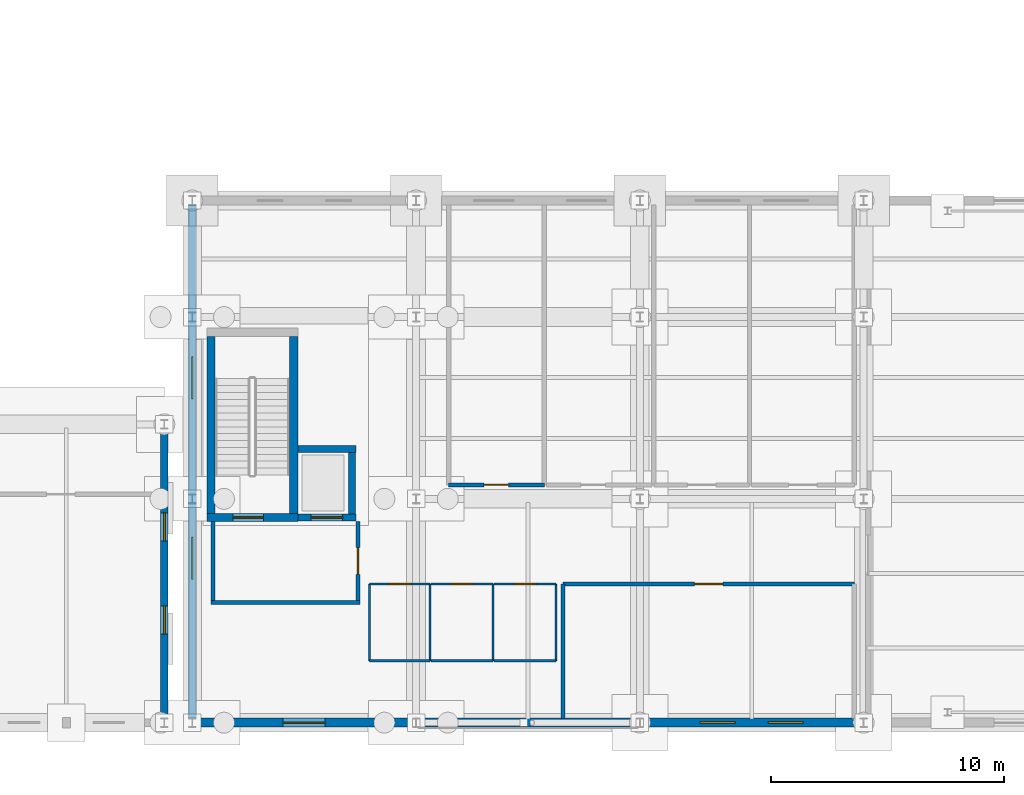
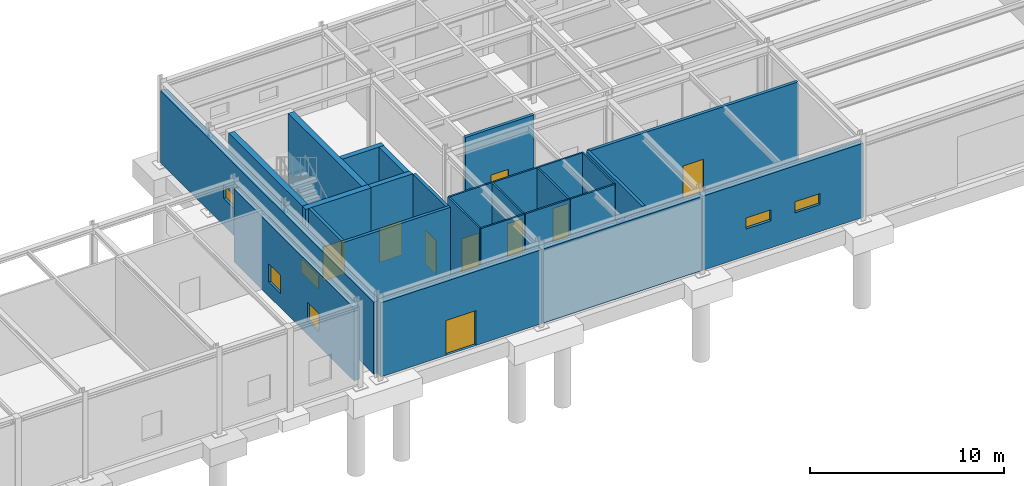
# One storey, part 95 of 109: 27 walls, 9 doors, 6 windows, 15 openings.
"""IFC4 building model written with IfcOpenShell, lengths in metres."""

from ifc_helpers import new_model, si_unit, direction, frame, frame_2d, origin, place, context, subcontext, project, spatial, rectangle, extrude, material, layer, layer_set, type_object, element, fill, save


model = new_model("IFC4")

# Units and contexts
model_context = context("Model", 3, precision=1e-05, world=origin(), true_north=direction((0.0, 1.0)))
body_context = subcontext(model_context, "Body", "Model", "MODEL_VIEW")
ifc_project = project(units=[si_unit("LENGTHUNIT", "METRE"), si_unit("AREAUNIT", "SQUARE_METRE"), si_unit("VOLUMEUNIT", "CUBIC_METRE"), si_unit("PLANEANGLEUNIT", "RADIAN"), si_unit("MASSUNIT", "GRAM", prefix="KILO")], contexts=[model_context])

# Site, building, storey
site_placement = place(None, origin())
site = spatial("IfcSite", under=ifc_project, at=site_placement, CompositionType="ELEMENT")
building_placement = place(site_placement, origin())
building = spatial("IfcBuilding", under=site, at=building_placement, Name="Nordkorset Police Headquarters", CompositionType="ELEMENT")
storey_placement = place(building_placement, origin())
storey = spatial("IfcBuildingStorey", under=building, at=storey_placement, Name="L00", CompositionType="ELEMENT", Elevation=0.0)

# Walls
ifc_material_1 = material(Name="Gypsum board", Category="gypsum")
ifc_layer_1 = layer(ifc_material_1, 0.179931640625, Name="Gypsum board")
ifc_layer_set_1 = layer_set([ifc_layer_1], Name="Gypsum board")
wall_type_1 = type_object("IfcWallType", Name="Wall_Comp_180", PredefinedType="PARTITIONING", material=ifc_layer_set_1)
wall_1_placement = place(storey_placement, frame((127.199951171875, 5.159912109375, 0.0), z_axis=(0.0, 0.0, 1.0), x_axis=(1.0, 0.0, 0.0)))
element("IfcWall", 1, at=wall_1_placement, inside=storey, type_object=wall_type_1, Name="Firefighting Lobby EI 60 Wall K6 L00 S", PredefinedType="PARTITIONING", context=body_context, shape_type="SweptSolid", body=[
    extrude(rectangle(XDim=6.400146484375, YDim=0.179931640625, at=frame_2d((3.2001953125, 0.0))), origin(), (0.0, 0.0, 1.0), 5.0),
])
wall_2_placement = place(storey_placement, frame((127.2900390625, 5.25, 0.0), z_axis=(0.0, 0.0, 1.0), x_axis=(0.0, 1.0, 0.0)))
element("IfcWall", 2, at=wall_2_placement, inside=storey, type_object=wall_type_1, Name="Firefighting Lobby EI 60 Wall K6 L00 W", PredefinedType="PARTITIONING", context=body_context, shape_type="SweptSolid", body=[
    extrude(rectangle(XDim=3.375, YDim=0.179931640625, at=frame_2d((1.6875, 0.0))), origin(), (0.0, 0.0, 1.0), 5.0),
])

# Wall, opening, door
wall_3_placement = place(storey_placement, frame((133.510009765625, 5.25, 0.0), z_axis=(0.0, 0.0, 1.0), x_axis=(0.0, 1.0, 0.0)))
wall_3 = element("IfcWall", 3, at=wall_3_placement, inside=storey, type_object=wall_type_1, Name="Firefighting Lobby EI 60 Wall K6 L00 E", PredefinedType="PARTITIONING", context=body_context, shape_type="SweptSolid", body=[
    extrude(rectangle(XDim=3.375, YDim=0.179931640625, at=frame_2d((1.6875, 0.0))), origin(), (0.0, 0.0, 1.0), 5.0),
])
opening_1_placement = place(wall_3_placement, frame((1.112548828125, 0.0, 0.0)))
opening_1 = element("IfcOpeningElement", 4, at=opening_1_placement, cuts=wall_3, Name="Opening DR-01", PredefinedType="OPENING", context=body_context, shape_type="SweptSolid", body=[
    extrude(rectangle(XDim=1.14990234375, YDim=2.14990234375, at=frame_2d((0.574951171875, 1.074951171875))), frame((0.0, 0.10009765625, 0.0), z_axis=(0.0, -1.0, 0.0), x_axis=(1.0, 0.0, 0.0)), (0.0, 0.0, 1.0), 0.199951171875),
])
ifc_material_2 = material(Name="Steel S355J2", Category="steel")
door_type_1 = type_object("IfcDoorType", Name="Door_LobbySingle_1150x2150", OperationType="NOTDEFINED", PredefinedType="DOOR", material=ifc_material_2)
door_1_placement = place(opening_1_placement, origin())
door_1 = element("IfcDoor", 5, at=door_1_placement, inside=storey, type_object=door_type_1, Name="Firefighting Lobby Smoke Door K6 L00 E", OperationType="SINGLE_SWING_LEFT", OverallHeight=2.14990234375, OverallWidth=1.14990234375, PredefinedType="DOOR", context=body_context, shape_type="SweptSolid", body=[
    extrude(rectangle(XDim=1.14990234375, YDim=2.14990234375, at=frame_2d((0.574951171875, 1.074951171875))), frame((0.0, 0.02490234375, 0.0), z_axis=(0.0, -1.0, 0.0), x_axis=(1.0, 0.0, 0.0)), (0.0, 0.0, 1.0), 0.050048828125),
])
fill(opening_1, door_1)

wall_4_placement = place(storey_placement, frame((154.800048828125, 5.949951171875, 0.0), z_axis=(0.0, 0.0, 1.0), x_axis=(-1.0, 0.0, 0.0)))
wall_4 = element("IfcWall", 6, at=wall_4_placement, inside=storey, type_object=wall_type_1, Name="Interior Partition Wall Custody Booking Suite", PredefinedType="PARTITIONING", context=body_context, shape_type="SweptSolid", body=[
    extrude(rectangle(XDim=12.5, YDim=0.179931640625, at=frame_2d((6.25, 0.0))), origin(), (0.0, 0.0, 1.0), 5.0),
])
opening_2_placement = place(wall_4_placement, frame((5.639892578125, 0.0, 0.0)))
opening_2 = element("IfcOpeningElement", 7, at=opening_2_placement, cuts=wall_4, Name="Opening DR-13", PredefinedType="OPENING", context=body_context, shape_type="SweptSolid", body=[
    extrude(rectangle(XDim=1.219970703125, YDim=2.10009765625, at=frame_2d((0.60986328125, 1.050048828125))), frame((0.0, 0.10009765625, 0.0), z_axis=(0.0, -1.0, 0.0), x_axis=(1.0, 0.0, 0.0)), (0.0, 0.0, 1.0), 0.199951171875),
])
ifc_material_3 = material(Name="Steel S355J2", Category="steel")
door_type_2 = type_object("IfcDoorType", Name="Door_FireComp_1220x2100", OperationType="NOTDEFINED", PredefinedType="DOOR", material=ifc_material_3)
door_2_placement = place(opening_2_placement, origin())
door_2 = element("IfcDoor", 8, at=door_2_placement, inside=storey, type_object=door_type_2, Name="Interior Door Custody Booking Suite", OperationType="SINGLE_SWING_RIGHT", OverallHeight=2.10009765625, OverallWidth=1.219970703125, PredefinedType="DOOR", context=body_context, shape_type="SweptSolid", body=[
    extrude(rectangle(XDim=1.219970703125, YDim=2.10009765625, at=frame_2d((0.60986328125, 1.050048828125))), frame((0.0, 0.02490234375, 0.0), z_axis=(0.0, -1.0, 0.0), x_axis=(1.0, 0.0, 0.0)), (0.0, 0.0, 1.0), 0.050048828125),
])
fill(opening_2, door_2)

# Wall
wall_5_placement = place(storey_placement, frame((142.300048828125, 5.949951171875, 0.0), z_axis=(0.0, 0.0, 1.0), x_axis=(0.0, -1.0, 0.0)))
element("IfcWall", 9, at=wall_5_placement, inside=storey, type_object=wall_type_1, Name="Interior Partition Wall Custody Booking Suite", PredefinedType="PARTITIONING", context=body_context, shape_type="SweptSolid", body=[
    extrude(rectangle(XDim=5.764892578125, YDim=0.179931640625, at=frame_2d((2.88232421875, 0.0))), origin(), (0.0, 0.0, 1.0), 5.0),
])

# Wall, opening, door
wall_6_placement = place(storey_placement, frame((137.39990234375, 10.199951171875, 0.0), z_axis=(0.0, 0.0, 1.0), x_axis=(1.0, 0.0, 0.0)))
wall_6 = element("IfcWall", 10, at=wall_6_placement, inside=storey, type_object=wall_type_1, Name="Interior Partition Wall Detention Cell 01", PredefinedType="PARTITIONING", context=body_context, shape_type="SweptSolid", body=[
    extrude(rectangle(XDim=4.10009765625, YDim=0.179931640625, at=frame_2d((2.050048828125, 0.0))), origin(), (0.0, 0.0, 1.0), 5.0),
])
opening_3_placement = place(wall_6_placement, frame((1.52490234375, 0.0, 0.0)))
opening_3 = element("IfcOpeningElement", 11, at=opening_3_placement, cuts=wall_6, Name="Opening DR-24", PredefinedType="OPENING", context=body_context, shape_type="SweptSolid", body=[
    extrude(rectangle(XDim=1.050048828125, YDim=2.10009765625, at=frame_2d((0.52490234375, 1.050048828125))), frame((0.0, 0.10009765625, 0.0), z_axis=(0.0, -1.0, 0.0), x_axis=(1.0, 0.0, 0.0)), (0.0, 0.0, 1.0), 0.199951171875),
])
ifc_material_4 = material(Name="Steel S355J2", Category="steel")
door_type_3 = type_object("IfcDoorType", Name="Door_CustodyCell_1050x2100", OperationType="NOTDEFINED", PredefinedType="DOOR", material=ifc_material_4)
door_3_placement = place(opening_3_placement, frame((1.050048828125, 0.0, 0.0), z_axis=(0.0, 0.0, 1.0), x_axis=(-1.0, 0.0, 0.0)))
door_3 = element("IfcDoor", 12, at=door_3_placement, inside=storey, type_object=door_type_3, Name="Interior Door Detention Cell 01", OperationType="SINGLE_SWING_LEFT", OverallHeight=2.10009765625, OverallWidth=1.050048828125, PredefinedType="DOOR", context=body_context, shape_type="SweptSolid", body=[
    extrude(rectangle(XDim=1.050048828125, YDim=2.10009765625, at=frame_2d((0.52490234375, 1.050048828125))), frame((0.0, 0.02490234375, 0.0), z_axis=(0.0, -1.0, 0.0), x_axis=(1.0, 0.0, 0.0)), (0.0, 0.0, 1.0), 0.050048828125),
])
fill(opening_3, door_3)

ifc_material_5 = material(Name="Concrete C35/45", Category="concrete")
ifc_layer_2 = layer(ifc_material_5, 0.35009765625, Name="Concrete C35/45")
ifc_layer_set_2 = layer_set([ifc_layer_2], Name="Concrete C35/45")
wall_type_2 = type_object("IfcWallType", Name="Wall_CoreShear_350", PredefinedType="SHEAR", material=ifc_layer_set_2)
wall_7_placement = place(storey_placement, frame((127.02490234375, 8.800048828125, -0.27001953125), z_axis=(0.0, 0.0, 1.0), x_axis=(1.0, 0.0, 0.0)))
wall_7 = element("IfcWall", 13, at=wall_7_placement, inside=storey, type_object=wall_type_2, Name="Core K6 Stair Shaft South Shear Wall L00", PredefinedType="SHEAR", context=body_context, shape_type="SweptSolid", body=[
    extrude(rectangle(XDim=3.900146484375, YDim=0.35009765625, at=frame_2d((1.9501953125, 0.0))), origin(), (0.0, 0.0, 1.0), 5.27001953125),
])
opening_4_placement = place(wall_7_placement, frame((1.125, 0.0, 0.27001953125)))
opening_4 = element("IfcOpeningElement", 14, at=opening_4_placement, cuts=wall_7, Name="Opening DR-20", PredefinedType="OPENING", context=body_context, shape_type="SweptSolid", body=[
    extrude(rectangle(XDim=1.300048828125, YDim=2.14990234375, at=frame_2d((0.64990234375, 1.074951171875))), frame((0.0, 0.18505859375, 0.0), z_axis=(0.0, -1.0, 0.0), x_axis=(1.0, 0.0, 0.0)), (0.0, 0.0, 1.0), 0.3701171875),
])
ifc_material_6 = material(Name="Steel S355J2", Category="steel")
door_type_4 = type_object("IfcDoorType", Name="Door_Stair_1300x2150", OperationType="NOTDEFINED", PredefinedType="DOOR", material=ifc_material_6)
door_4_placement = place(opening_4_placement, origin())
door_4 = element("IfcDoor", 15, at=door_4_placement, inside=storey, type_object=door_type_4, Name="Protected Stair Fire Door ST-06 L00", OperationType="SINGLE_SWING_RIGHT", OverallHeight=2.14990234375, OverallWidth=1.300048828125, PredefinedType="DOOR", context=body_context, shape_type="SweptSolid", body=[
    extrude(rectangle(XDim=1.300048828125, YDim=2.14990234375, at=frame_2d((0.64990234375, 1.074951171875))), frame((0.0, 0.02490234375, 0.0), z_axis=(0.0, -1.0, 0.0), x_axis=(1.0, 0.0, 0.0)), (0.0, 0.0, 1.0), 0.050048828125),
])
fill(opening_4, door_4)

# Walls
for number, where, z_axis, x_axis, name in (
    (16, (127.199951171875, 8.97509765625, -0.27001953125), (0.0, 0.0, 1.0), (0.0, 1.0, 0.0), "Core K6 Stair Shaft West Shear Wall L00"),
    (17, (130.75, 8.97509765625, -0.27001953125), (0.0, 0.0, 1.0), (0.0, 1.0, 0.0), "Core K6 Stair Shaft East Shear Wall L00"),
):
    element("IfcWall", number, at=place(storey_placement, frame(where, z_axis=z_axis, x_axis=x_axis)), inside=storey, type_object=wall_type_2, Name=name, PredefinedType="SHEAR", context=body_context, shape_type="SweptSolid", body=[
        extrude(rectangle(XDim=7.599853515625, YDim=0.35009765625, at=frame_2d((3.7998046875, 0.0))), origin(), (0.0, 0.0, 1.0), 5.27001953125),
    ])

# Wall, opening, door
ifc_material_7 = material(Name="Precast concrete C40/50", Category="concrete")
ifc_layer_3 = layer(ifc_material_7, 0.3798828125, Name="Precast concrete C40/50")
ifc_layer_set_3 = layer_set([ifc_layer_3], Name="Precast concrete C40/50")
wall_type_3 = type_object("IfcWallType", Name="Wall_ExtCustody_380", PredefinedType="SOLIDWALL", material=ifc_layer_set_3)
wall_8_placement = place(storey_placement, frame((126.40869140625, 0.0, 0.0), z_axis=(0.0, 0.0, 1.0), x_axis=(1.0, 0.0, 0.0)))
wall_8 = element("IfcWall", 18, at=wall_8_placement, inside=storey, type_object=wall_type_3, Name="Exterior Insulated Precast Wall L00 V6S-ED09", PredefinedType="SOLIDWALL", context=body_context, shape_type="SweptSolid", body=[
    extrude(rectangle(XDim=9.58251953125, YDim=0.3798828125, at=frame_2d((4.791259765625, 0.0))), origin(), (0.0, 0.0, 1.0), 4.669921875),
])
opening_5_placement = place(wall_8_placement, frame((3.891357421875, 0.0, 0.0)))
opening_5 = element("IfcOpeningElement", 19, at=opening_5_placement, cuts=wall_8, Name="Opening ED-09", PredefinedType="OPENING", context=body_context, shape_type="SweptSolid", body=[
    extrude(rectangle(XDim=1.800048828125, YDim=2.199951171875, at=frame_2d((0.89990234375, 1.10009765625))), frame((0.0, 0.199951171875, 0.0), z_axis=(0.0, -1.0, 0.0), x_axis=(1.0, 0.0, 0.0)), (0.0, 0.0, 1.0), 0.39990234375),
])
ifc_material_8 = material(Name="Steel S355J2", Category="steel")
door_type_5 = type_object("IfcDoorType", Name="ExtDoor_WingExit_1800x2200", OperationType="DOUBLE_DOOR_SINGLE_SWING", PredefinedType="DOOR", material=ifc_material_8)
door_5_placement = place(opening_5_placement, frame((1.800048828125, 0.0, 0.0), z_axis=(0.0, 0.0, 1.0), x_axis=(-1.0, 0.0, 0.0)))
door_5 = element("IfcDoor", 20, at=door_5_placement, inside=storey, type_object=door_type_5, Name="Custody Wing Final Exit Door ED-09", OperationType="SINGLE_SWING_LEFT", OverallHeight=2.199951171875, OverallWidth=1.800048828125, PredefinedType="DOOR", context=body_context, shape_type="SweptSolid", body=[
    extrude(rectangle(XDim=1.800048828125, YDim=2.199951171875, at=frame_2d((0.89990234375, 1.10009765625))), frame((0.0, 0.02490234375, 0.0), z_axis=(0.0, -1.0, 0.0), x_axis=(1.0, 0.0, 0.0)), (0.0, 0.0, 1.0), 0.050048828125),
])
fill(opening_5, door_5)

# Wall
wall_9_placement = place(storey_placement, frame((136.0087890625, 0.0, 0.0), z_axis=(0.0, 0.0, 1.0), x_axis=(1.0, 0.0, 0.0)))
element("IfcWall", 21, at=wall_9_placement, inside=storey, type_object=wall_type_3, Name="Exterior Insulated Precast Wall L00 V6S-1", PredefinedType="SOLIDWALL", context=body_context, shape_type="SweptSolid", body=[
    extrude(rectangle(XDim=9.58251953125, YDim=0.3798828125, at=frame_2d((4.791259765625, 0.0))), origin(), (0.0, 0.0, 1.0), 4.669921875),
])

# Wall, openings, windows
wall_10_placement = place(storey_placement, frame((145.608642578125, 0.0, 0.0), z_axis=(0.0, 0.0, 1.0), x_axis=(1.0, 0.0, 0.0)))
wall_10 = element("IfcWall", 22, at=wall_10_placement, inside=storey, type_object=wall_type_3, Name="Exterior Insulated Precast Wall L00 V6S-2", PredefinedType="SOLIDWALL", context=body_context, shape_type="SweptSolid", body=[
    extrude(rectangle(XDim=9.58251953125, YDim=0.3798828125, at=frame_2d((4.791259765625, 0.0))), origin(), (0.0, 0.0, 1.0), 4.669921875),
])
opening_6_placement = place(wall_10_placement, frame((2.57470703125, 0.0, 1.699951171875)))
opening_6 = element("IfcOpeningElement", 23, at=opening_6_placement, cuts=wall_10, Name="Opening WN-25", PredefinedType="OPENING", context=body_context, shape_type="SweptSolid", body=[
    extrude(rectangle(XDim=1.5, YDim=0.699951171875, at=frame_2d((0.75, 0.35009765625))), frame((0.0, 0.199951171875, 0.0), z_axis=(0.0, -1.0, 0.0), x_axis=(1.0, 0.0, 0.0)), (0.0, 0.0, 1.0), 0.39990234375),
])
opening_7_placement = place(wall_10_placement, frame((5.508056640625, 0.0, 1.699951171875)))
opening_7 = element("IfcOpeningElement", 24, at=opening_7_placement, cuts=wall_10, Name="Opening WN-25", PredefinedType="OPENING", context=body_context, shape_type="SweptSolid", body=[
    extrude(rectangle(XDim=1.5, YDim=0.699951171875, at=frame_2d((0.75, 0.35009765625))), frame((0.0, 0.199951171875, 0.0), z_axis=(0.0, -1.0, 0.0), x_axis=(1.0, 0.0, 0.0)), (0.0, 0.0, 1.0), 0.39990234375),
])
ifc_material_9 = material(Name="Low-iron triple glazing", Category="glass")
window_type_1 = type_object("IfcWindowType", Name="Win_1500x700", PartitioningType="SINGLE_PANEL", PredefinedType="WINDOW", material=ifc_material_9)
window_1_placement = place(opening_6_placement, origin())
window_1 = element("IfcWindow", 25, at=window_1_placement, inside=storey, type_object=window_type_1, Name="Triple-Glazed Exterior Window L00 V6S-2-1", OverallHeight=0.699951171875, OverallWidth=1.5, PartitioningType="SINGLE_PANEL", PredefinedType="WINDOW", context=body_context, shape_type="SweptSolid", body=[
    extrude(rectangle(XDim=1.5, YDim=0.699951171875, at=frame_2d((0.75, 0.35009765625))), frame((0.0, 0.030029296875, 0.0), z_axis=(0.0, -1.0, 0.0), x_axis=(1.0, 0.0, 0.0)), (0.0, 0.0, 1.0), 0.06005859375),
])
fill(opening_6, window_1)
window_2_placement = place(opening_7_placement, origin())
window_2 = element("IfcWindow", 26, at=window_2_placement, inside=storey, type_object=window_type_1, Name="Triple-Glazed Exterior Window L00 V6S-2-2", OverallHeight=0.699951171875, OverallWidth=1.5, PartitioningType="SINGLE_PANEL", PredefinedType="WINDOW", context=body_context, shape_type="SweptSolid", body=[
    extrude(rectangle(XDim=1.5, YDim=0.699951171875, at=frame_2d((0.75, 0.35009765625))), frame((0.0, 0.030029296875, 0.0), z_axis=(0.0, -1.0, 0.0), x_axis=(1.0, 0.0, 0.0)), (0.0, 0.0, 1.0), 0.06005859375),
])
fill(opening_7, window_2)

wall_11_placement = place(storey_placement, frame((126.39990234375, 0.201904296875, 0.0), z_axis=(0.0, 0.0, 1.0), x_axis=(0.0, 1.0, 0.0)))
wall_11 = element("IfcWall", 27, at=wall_11_placement, inside=storey, type_object=wall_type_3, Name="Exterior Insulated Precast Wall L00 V6W-0", PredefinedType="SOLIDWALL", context=body_context, shape_type="SweptSolid", body=[
    extrude(rectangle(XDim=21.99609375, YDim=0.3798828125, at=frame_2d((10.998046875, 0.0))), origin(), (0.0, 0.0, 1.0), 4.5400390625),
])
opening_8_placement = place(wall_11_placement, frame((5.947998046875, 0.0, 1.699951171875)))
opening_8 = element("IfcOpeningElement", 28, at=opening_8_placement, cuts=wall_11, Name="Opening WN-44", PredefinedType="OPENING", context=body_context, shape_type="SweptSolid", body=[
    extrude(rectangle(XDim=1.800048828125, YDim=0.85009765625, at=frame_2d((0.89990234375, 0.425048828125))), frame((0.0, 0.199951171875, 0.0), z_axis=(0.0, -1.0, 0.0), x_axis=(1.0, 0.0, 0.0)), (0.0, 0.0, 1.0), 0.39990234375),
])
opening_9_placement = place(wall_11_placement, frame((13.697998046875, 0.0, 1.699951171875)))
opening_9 = element("IfcOpeningElement", 29, at=opening_9_placement, cuts=wall_11, Name="Opening WN-44", PredefinedType="OPENING", context=body_context, shape_type="SweptSolid", body=[
    extrude(rectangle(XDim=1.800048828125, YDim=0.85009765625, at=frame_2d((0.89990234375, 0.425048828125))), frame((0.0, 0.199951171875, 0.0), z_axis=(0.0, -1.0, 0.0), x_axis=(1.0, 0.0, 0.0)), (0.0, 0.0, 1.0), 0.39990234375),
])
ifc_material_10 = material(Name="Low-iron triple glazing", Category="glass")
window_type_2 = type_object("IfcWindowType", Name="Win_1800x850", PartitioningType="SINGLE_PANEL", PredefinedType="WINDOW", material=ifc_material_10)
window_3_placement = place(opening_8_placement, origin())
window_3 = element("IfcWindow", 30, at=window_3_placement, inside=storey, type_object=window_type_2, Name="Triple-Glazed Exterior Window L00 V6W-0-1", OverallHeight=0.85009765625, OverallWidth=1.800048828125, PartitioningType="SINGLE_PANEL", PredefinedType="WINDOW", context=body_context, shape_type="SweptSolid", body=[
    extrude(rectangle(XDim=1.800048828125, YDim=0.85009765625, at=frame_2d((0.89990234375, 0.425048828125))), frame((0.0, 0.030029296875, 0.0), z_axis=(0.0, -1.0, 0.0), x_axis=(1.0, 0.0, 0.0)), (0.0, 0.0, 1.0), 0.06005859375),
])
fill(opening_8, window_3)
window_4_placement = place(opening_9_placement, origin())
window_4 = element("IfcWindow", 31, at=window_4_placement, inside=storey, type_object=window_type_2, Name="Triple-Glazed Exterior Window L00 V6W-0-2", OverallHeight=0.85009765625, OverallWidth=1.800048828125, PartitioningType="SINGLE_PANEL", PredefinedType="WINDOW", context=body_context, shape_type="SweptSolid", body=[
    extrude(rectangle(XDim=1.800048828125, YDim=0.85009765625, at=frame_2d((0.89990234375, 0.425048828125))), frame((0.0, 0.030029296875, 0.0), z_axis=(0.0, -1.0, 0.0), x_axis=(1.0, 0.0, 0.0)), (0.0, 0.0, 1.0), 0.06005859375),
])
fill(opening_9, window_4)

ifc_material_11 = material(Name="Precast concrete C40/50", Category="concrete")
ifc_layer_4 = layer(ifc_material_11, 0.320068359375, Name="Precast concrete C40/50")
ifc_layer_set_4 = layer_set([ifc_layer_4], Name="Precast concrete C40/50")
wall_type_4 = type_object("IfcWallType", Name="Wall_ExtPlinth_320", PredefinedType="SOLIDWALL", material=ifc_layer_set_4)
wall_12_placement = place(storey_placement, frame((125.199951171875, 0.201904296875, 0.0), z_axis=(0.0, 0.0, 1.0), x_axis=(0.0, 1.0, 0.0)))
wall_12 = element("IfcWall", 32, at=wall_12_placement, inside=storey, type_object=wall_type_4, Name="Exterior Insulated Precast Wall L00 V7-EASTEND", PredefinedType="SOLIDWALL", context=body_context, shape_type="SweptSolid", body=[
    extrude(rectangle(XDim=12.39599609375, YDim=0.320068359375, at=frame_2d((6.197998046875, 0.0))), origin(), (0.0, 0.0, 1.0), 4.590087890625),
])
opening_10_placement = place(wall_12_placement, frame((3.597900390625, 0.0, 0.89990234375)))
opening_10 = element("IfcOpeningElement", 33, at=opening_10_placement, cuts=wall_12, Name="Opening WN-19", PredefinedType="OPENING", context=body_context, shape_type="SweptSolid", body=[
    extrude(rectangle(XDim=1.199951171875, YDim=1.14990234375, at=frame_2d((0.60009765625, 0.574951171875))), frame((0.0, 0.169921875, 0.0), z_axis=(0.0, -1.0, 0.0), x_axis=(1.0, 0.0, 0.0)), (0.0, 0.0, 1.0), 0.340087890625),
])
opening_11_placement = place(wall_12_placement, frame((7.597900390625, 0.0, 0.89990234375)))
opening_11 = element("IfcOpeningElement", 34, at=opening_11_placement, cuts=wall_12, Name="Opening WN-19", PredefinedType="OPENING", context=body_context, shape_type="SweptSolid", body=[
    extrude(rectangle(XDim=1.199951171875, YDim=1.14990234375, at=frame_2d((0.60009765625, 0.574951171875))), frame((0.0, 0.169921875, 0.0), z_axis=(0.0, -1.0, 0.0), x_axis=(1.0, 0.0, 0.0)), (0.0, 0.0, 1.0), 0.340087890625),
])
ifc_material_12 = material(Name="Low-iron triple glazing", Category="glass")
window_type_3 = type_object("IfcWindowType", Name="Win_1200x1150", PartitioningType="SINGLE_PANEL", PredefinedType="WINDOW", material=ifc_material_12)
window_5_placement = place(opening_10_placement, origin())
window_5 = element("IfcWindow", 35, at=window_5_placement, inside=storey, type_object=window_type_3, Name="Triple-Glazed Exterior Window L00 V7-EASTEND-1", OverallHeight=1.14990234375, OverallWidth=1.199951171875, PartitioningType="SINGLE_PANEL", PredefinedType="WINDOW", context=body_context, shape_type="SweptSolid", body=[
    extrude(rectangle(XDim=1.199951171875, YDim=1.14990234375, at=frame_2d((0.60009765625, 0.574951171875))), frame((0.0, 0.030029296875, 0.0), z_axis=(0.0, -1.0, 0.0), x_axis=(1.0, 0.0, 0.0)), (0.0, 0.0, 1.0), 0.06005859375),
])
fill(opening_10, window_5)
window_6_placement = place(opening_11_placement, origin())
window_6 = element("IfcWindow", 36, at=window_6_placement, inside=storey, type_object=window_type_3, Name="Triple-Glazed Exterior Window L00 V7-EASTEND-2", OverallHeight=1.14990234375, OverallWidth=1.199951171875, PartitioningType="SINGLE_PANEL", PredefinedType="WINDOW", context=body_context, shape_type="SweptSolid", body=[
    extrude(rectangle(XDim=1.199951171875, YDim=1.14990234375, at=frame_2d((0.60009765625, 0.574951171875))), frame((0.0, 0.030029296875, 0.0), z_axis=(0.0, -1.0, 0.0), x_axis=(1.0, 0.0, 0.0)), (0.0, 0.0, 1.0), 0.06005859375),
])
fill(opening_11, window_6)

# Walls
ifc_material_13 = material(Name="Gypsum board", Category="gypsum")
ifc_layer_5 = layer(ifc_material_13, 0.10009765625, Name="Gypsum board")
ifc_layer_set_5 = layer_set([ifc_layer_5], Name="Gypsum board")
wall_type_5 = type_object("IfcWallType", Name="Wall_Part_100", PredefinedType="PARTITIONING", material=ifc_layer_set_5)
wall_13_placement = place(storey_placement, frame((134.0, 2.64990234375, 0.0), z_axis=(0.0, 0.0, 1.0), x_axis=(1.0, 0.0, 0.0)))
element("IfcWall", 37, at=wall_13_placement, inside=storey, type_object=wall_type_5, Name="Interior Partition Wall Accessible WC L00C", PredefinedType="PARTITIONING", context=body_context, shape_type="SweptSolid", body=[
    extrude(rectangle(XDim=2.60009765625, YDim=0.10009765625, at=frame_2d((1.300048828125, 0.0))), origin(), (0.0, 0.0, 1.0), 5.0),
])
wall_14_placement = place(storey_placement, frame((136.60009765625, 2.64990234375, 0.0), z_axis=(0.0, 0.0, 1.0), x_axis=(0.0, 1.0, 0.0)))
element("IfcWall", 38, at=wall_14_placement, inside=storey, type_object=wall_type_5, Name="Interior Partition Wall Accessible WC L00C", PredefinedType="PARTITIONING", context=body_context, shape_type="SweptSolid", body=[
    extrude(rectangle(XDim=3.300048828125, YDim=0.10009765625, at=frame_2d((1.64990234375, 0.0))), origin(), (0.0, 0.0, 1.0), 5.0),
])

# Wall, opening, door
wall_15_placement = place(storey_placement, frame((136.60009765625, 5.949951171875, 0.0), z_axis=(0.0, 0.0, 1.0), x_axis=(-1.0, 0.0, 0.0)))
wall_15 = element("IfcWall", 39, at=wall_15_placement, inside=storey, type_object=wall_type_5, Name="Interior Partition Wall Accessible WC L00C", PredefinedType="PARTITIONING", context=body_context, shape_type="SweptSolid", body=[
    extrude(rectangle(XDim=2.60009765625, YDim=0.10009765625, at=frame_2d((1.300048828125, 0.0))), origin(), (0.0, 0.0, 1.0), 5.0),
])
opening_12_placement = place(wall_15_placement, frame((0.800048828125, 0.0, 0.0)))
opening_12 = element("IfcOpeningElement", 40, at=opening_12_placement, cuts=wall_15, Name="Opening DR-23", PredefinedType="OPENING", context=body_context, shape_type="SweptSolid", body=[
    extrude(rectangle(XDim=1.0, YDim=2.080078125, at=frame_2d((0.5, 1.0400390625))), frame((0.0, 0.06005859375, 0.0), z_axis=(0.0, -1.0, 0.0), x_axis=(1.0, 0.0, 0.0)), (0.0, 0.0, 1.0), 0.1201171875),
])
ifc_material_14 = material(Name="Glulam GL30c", Category="wood")
door_type_6 = type_object("IfcDoorType", Name="Door_WCAccess_1000x2080", OperationType="NOTDEFINED", PredefinedType="DOOR", material=ifc_material_14)
door_6_placement = place(opening_12_placement, frame((1.0, 0.0, 0.0), z_axis=(0.0, 0.0, 1.0), x_axis=(-1.0, 0.0, 0.0)))
door_6 = element("IfcDoor", 41, at=door_6_placement, inside=storey, type_object=door_type_6, Name="Interior Door Accessible WC L00C", OperationType="SINGLE_SWING_LEFT", OverallHeight=2.080078125, OverallWidth=1.0, PredefinedType="DOOR", context=body_context, shape_type="SweptSolid", body=[
    extrude(rectangle(XDim=1.0, YDim=2.080078125, at=frame_2d((0.5, 1.0400390625))), frame((0.0, 0.02490234375, 0.0), z_axis=(0.0, -1.0, 0.0), x_axis=(1.0, 0.0, 0.0)), (0.0, 0.0, 1.0), 0.050048828125),
])
fill(opening_12, door_6)

# Walls
wall_16_placement = place(storey_placement, frame((134.0, 5.949951171875, 0.0), z_axis=(0.0, 0.0, 1.0), x_axis=(0.0, -1.0, 0.0)))
element("IfcWall", 42, at=wall_16_placement, inside=storey, type_object=wall_type_5, Name="Interior Partition Wall Accessible WC L00C", PredefinedType="PARTITIONING", context=body_context, shape_type="SweptSolid", body=[
    extrude(rectangle(XDim=3.300048828125, YDim=0.10009765625, at=frame_2d((1.64990234375, 0.0))), origin(), (0.0, 0.0, 1.0), 5.0),
])
wall_17_placement = place(storey_placement, frame((136.64501953125, 2.64990234375, 0.0), z_axis=(0.0, 0.0, 1.0), x_axis=(1.0, 0.0, 0.0)))
element("IfcWall", 43, at=wall_17_placement, inside=storey, type_object=wall_type_5, Name="Interior Partition Wall Staff Female WC L00C", PredefinedType="PARTITIONING", context=body_context, shape_type="SweptSolid", body=[
    extrude(rectangle(XDim=2.655029296875, YDim=0.10009765625, at=frame_2d((1.32763671875, 0.0))), origin(), (0.0, 0.0, 1.0), 5.0),
])
wall_18_placement = place(storey_placement, frame((139.300048828125, 2.64990234375, 0.0), z_axis=(0.0, 0.0, 1.0), x_axis=(0.0, 1.0, 0.0)))
element("IfcWall", 44, at=wall_18_placement, inside=storey, type_object=wall_type_5, Name="Interior Partition Wall Staff Female WC L00C", PredefinedType="PARTITIONING", context=body_context, shape_type="SweptSolid", body=[
    extrude(rectangle(XDim=3.300048828125, YDim=0.10009765625, at=frame_2d((1.64990234375, 0.0))), origin(), (0.0, 0.0, 1.0), 5.0),
])

# Wall, opening, door
wall_19_placement = place(storey_placement, frame((139.300048828125, 5.949951171875, 0.0), z_axis=(0.0, 0.0, 1.0), x_axis=(-1.0, 0.0, 0.0)))
wall_19 = element("IfcWall", 45, at=wall_19_placement, inside=storey, type_object=wall_type_5, Name="Interior Partition Wall Staff Female WC L00C", PredefinedType="PARTITIONING", context=body_context, shape_type="SweptSolid", body=[
    extrude(rectangle(XDim=2.655029296875, YDim=0.10009765625, at=frame_2d((1.32763671875, 0.0))), origin(), (0.0, 0.0, 1.0), 5.0),
])
opening_13_placement = place(wall_19_placement, frame((0.867431640625, 0.0, 0.0)))
opening_13 = element("IfcOpeningElement", 46, at=opening_13_placement, cuts=wall_19, Name="Opening DR-21", PredefinedType="OPENING", context=body_context, shape_type="SweptSolid", body=[
    extrude(rectangle(XDim=0.919921875, YDim=2.080078125, at=frame_2d((0.4599609375, 1.0400390625))), frame((0.0, 0.06005859375, 0.0), z_axis=(0.0, -1.0, 0.0), x_axis=(1.0, 0.0, 0.0)), (0.0, 0.0, 1.0), 0.1201171875),
])
ifc_material_15 = material(Name="Glulam GL30c", Category="wood")
door_type_7 = type_object("IfcDoorType", Name="Door_WCStaff_920x2080", OperationType="NOTDEFINED", PredefinedType="DOOR", material=ifc_material_15)
door_7_placement = place(opening_13_placement, origin())
door_7 = element("IfcDoor", 47, at=door_7_placement, inside=storey, type_object=door_type_7, Name="Interior Door Staff Female WC L00C", OperationType="SINGLE_SWING_RIGHT", OverallHeight=2.080078125, OverallWidth=0.919921875, PredefinedType="DOOR", context=body_context, shape_type="SweptSolid", body=[
    extrude(rectangle(XDim=0.919921875, YDim=2.080078125, at=frame_2d((0.4599609375, 1.0400390625))), frame((0.0, 0.02490234375, 0.0), z_axis=(0.0, -1.0, 0.0), x_axis=(1.0, 0.0, 0.0)), (0.0, 0.0, 1.0), 0.050048828125),
])
fill(opening_13, door_7)

# Walls
wall_20_placement = place(storey_placement, frame((139.344970703125, 2.64990234375, 0.0), z_axis=(0.0, 0.0, 1.0), x_axis=(1.0, 0.0, 0.0)))
element("IfcWall", 48, at=wall_20_placement, inside=storey, type_object=wall_type_5, Name="Interior Partition Wall Staff Male WC L00C", PredefinedType="PARTITIONING", context=body_context, shape_type="SweptSolid", body=[
    extrude(rectangle(XDim=2.655029296875, YDim=0.10009765625, at=frame_2d((1.32763671875, 0.0))), origin(), (0.0, 0.0, 1.0), 5.0),
])
wall_21_placement = place(storey_placement, frame((142.0, 2.64990234375, 0.0), z_axis=(0.0, 0.0, 1.0), x_axis=(0.0, 1.0, 0.0)))
element("IfcWall", 49, at=wall_21_placement, inside=storey, type_object=wall_type_5, Name="Interior Partition Wall Staff Male WC L00C", PredefinedType="PARTITIONING", context=body_context, shape_type="SweptSolid", body=[
    extrude(rectangle(XDim=3.300048828125, YDim=0.10009765625, at=frame_2d((1.64990234375, 0.0))), origin(), (0.0, 0.0, 1.0), 5.0),
])

# Wall, opening, door
wall_22_placement = place(storey_placement, frame((142.0, 5.949951171875, 0.0), z_axis=(0.0, 0.0, 1.0), x_axis=(-1.0, 0.0, 0.0)))
wall_22 = element("IfcWall", 50, at=wall_22_placement, inside=storey, type_object=wall_type_5, Name="Interior Partition Wall Staff Male WC L00C", PredefinedType="PARTITIONING", context=body_context, shape_type="SweptSolid", body=[
    extrude(rectangle(XDim=2.655029296875, YDim=0.10009765625, at=frame_2d((1.32763671875, 0.0))), origin(), (0.0, 0.0, 1.0), 5.0),
])
opening_14_placement = place(wall_22_placement, frame((0.867431640625, 0.0, 0.0)))
opening_14 = element("IfcOpeningElement", 51, at=opening_14_placement, cuts=wall_22, Name="Opening DR-21", PredefinedType="OPENING", context=body_context, shape_type="SweptSolid", body=[
    extrude(rectangle(XDim=0.919921875, YDim=2.080078125, at=frame_2d((0.4599609375, 1.0400390625))), frame((0.0, 0.06005859375, 0.0), z_axis=(0.0, -1.0, 0.0), x_axis=(1.0, 0.0, 0.0)), (0.0, 0.0, 1.0), 0.1201171875),
])
door_8_placement = place(opening_14_placement, frame((0.919921875, 0.0, 0.0), z_axis=(0.0, 0.0, 1.0), x_axis=(-1.0, 0.0, 0.0)))
door_8 = element("IfcDoor", 52, at=door_8_placement, inside=storey, type_object=door_type_7, Name="Interior Door Staff Male WC L00C", OperationType="SINGLE_SWING_LEFT", OverallHeight=2.080078125, OverallWidth=0.919921875, PredefinedType="DOOR", context=body_context, shape_type="SweptSolid", body=[
    extrude(rectangle(XDim=0.919921875, YDim=2.080078125, at=frame_2d((0.4599609375, 1.0400390625))), frame((0.0, 0.02490234375, 0.0), z_axis=(0.0, -1.0, 0.0), x_axis=(1.0, 0.0, 0.0)), (0.0, 0.0, 1.0), 0.050048828125),
])
fill(opening_14, door_8)

ifc_material_16 = material(Name="Concrete C35/45", Category="concrete")
ifc_layer_6 = layer(ifc_material_16, 0.300048828125, Name="Concrete C35/45")
ifc_layer_set_6 = layer_set([ifc_layer_6], Name="Concrete C35/45")
wall_type_6 = type_object("IfcWallType", Name="Wall_ShaftShear_300", PredefinedType="SHEAR", material=ifc_layer_set_6)
wall_23_placement = place(storey_placement, frame((130.925048828125, 8.800048828125, -0.27001953125), z_axis=(0.0, 0.0, 1.0), x_axis=(1.0, 0.0, 0.0)))
wall_23 = element("IfcWall", 53, at=wall_23_placement, inside=storey, type_object=wall_type_6, Name="Lift Shaft LF-08 Front Shear Wall L00", PredefinedType="SHEAR", context=body_context, shape_type="SweptSolid", body=[
    extrude(rectangle(XDim=2.5, YDim=0.300048828125, at=frame_2d((1.25, 0.0))), origin(), (0.0, 0.0, 1.0), 5.27001953125),
])
opening_15_placement = place(wall_23_placement, frame((0.574951171875, 0.0, 0.27001953125)))
opening_15 = element("IfcOpeningElement", 54, at=opening_15_placement, cuts=wall_23, Name="Opening LD-08", PredefinedType="OPENING", context=body_context, shape_type="SweptSolid", body=[
    extrude(rectangle(XDim=1.35009765625, YDim=2.14990234375, at=frame_2d((0.675048828125, 1.074951171875))), frame((0.0, 0.16015625, 0.0), z_axis=(0.0, -1.0, 0.0), x_axis=(1.0, 0.0, 0.0)), (0.0, 0.0, 1.0), 0.320068359375),
])
ifc_material_17 = material(Name="Steel S355J2", Category="steel")
door_type_8 = type_object("IfcDoorType", Name="Door_LiftGoods_1350x2150", OperationType="SLIDING_TO_RIGHT", PredefinedType="DOOR", material=ifc_material_17)
door_9_placement = place(opening_15_placement, frame((1.35009765625, 0.0, 0.0), z_axis=(0.0, 0.0, 1.0), x_axis=(-1.0, 0.0, 0.0)))
door_9 = element("IfcDoor", 55, at=door_9_placement, inside=storey, type_object=door_type_8, Name="Lift Landing Sliding Door LF-08 L00", OperationType="SLIDING_TO_RIGHT", OverallHeight=2.14990234375, OverallWidth=1.35009765625, PredefinedType="DOOR", context=body_context, shape_type="SweptSolid", body=[
    extrude(rectangle(XDim=1.35009765625, YDim=2.14990234375, at=frame_2d((0.675048828125, 1.074951171875))), frame((0.0, 0.02490234375, 0.0), z_axis=(0.0, -1.0, 0.0), x_axis=(1.0, 0.0, 0.0)), (0.0, 0.0, 1.0), 0.050048828125),
])
fill(opening_15, door_9)

# Walls
wall_24_placement = place(storey_placement, frame((130.925048828125, 11.75, -0.27001953125), z_axis=(0.0, 0.0, 1.0), x_axis=(1.0, 0.0, 0.0)))
element("IfcWall", 56, at=wall_24_placement, inside=storey, type_object=wall_type_6, Name="Lift Shaft LF-08 Rear Shear Wall L00", PredefinedType="SHEAR", context=body_context, shape_type="SweptSolid", body=[
    extrude(rectangle(XDim=2.5, YDim=0.300048828125, at=frame_2d((1.25, 0.0))), origin(), (0.0, 0.0, 1.0), 5.27001953125),
])
wall_25_placement = place(storey_placement, frame((133.25, 8.949951171875, -0.27001953125), z_axis=(0.0, 0.0, 1.0), x_axis=(0.0, 1.0, 0.0)))
element("IfcWall", 57, at=wall_25_placement, inside=storey, type_object=wall_type_6, Name="Lift Shaft LF-08 East Shear Wall L00", PredefinedType="SHEAR", context=body_context, shape_type="SweptSolid", body=[
    extrude(rectangle(XDim=2.650146484375, YDim=0.300048828125, at=frame_2d((1.3251953125, 0.0))), origin(), (0.0, 0.0, 1.0), 5.27001953125),
])

save(model, "model.ifc")
